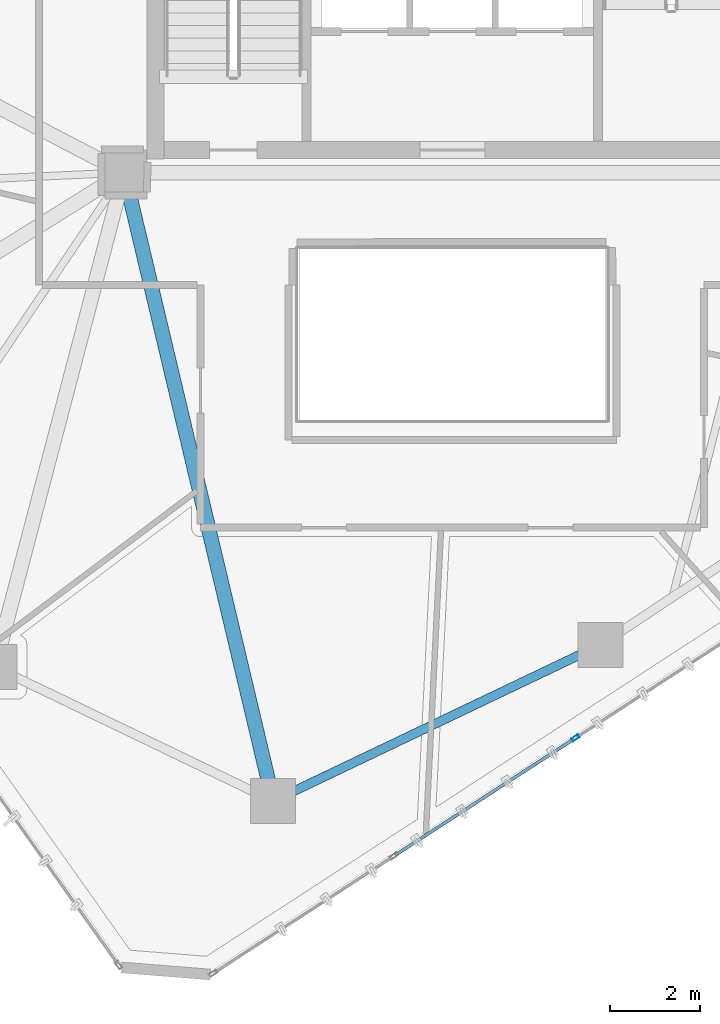
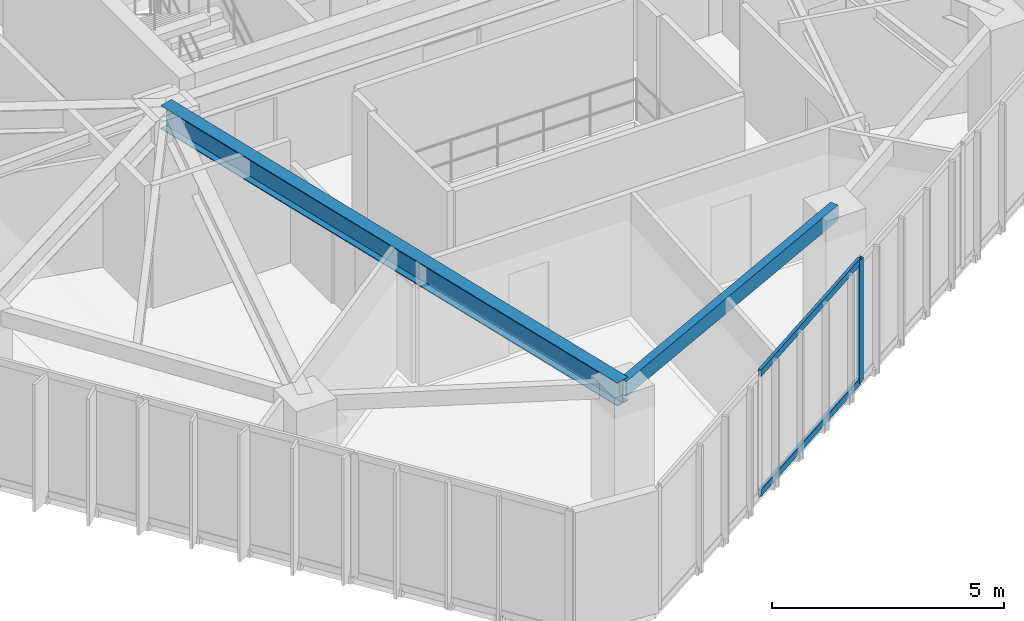
# One storey, part 4 of 18: 3 members, 2 beams, 1 element without a shape of its own.
"""IFC4 building model written with IfcOpenShell, lengths in metres."""

from ifc_helpers import new_model, si_unit, direction, frame, origin, origin_2d, place, context, subcontext, project, spatial, hollow_rectangle, i_section, extrude, source, transform, mapped, material, layer, layer_set, material_profile, profile_set, type_object, type_shapes, element, aggregate, save


model = new_model("IFC4")

# Units and contexts
model_context = context("Model", 3, precision=1e-05, world=origin(), true_north=direction((0.0, 1.0)))
body_context = subcontext(model_context, "Body", "Model", "MODEL_VIEW")
ifc_project = project(units=[si_unit("LENGTHUNIT", "METRE"), si_unit("AREAUNIT", "SQUARE_METRE"), si_unit("VOLUMEUNIT", "CUBIC_METRE"), si_unit("PLANEANGLEUNIT", "RADIAN"), si_unit("MASSUNIT", "GRAM", prefix="KILO")], contexts=[model_context])

# Site, building, storey
site_placement = place(None, origin())
site = spatial("IfcSite", under=ifc_project, at=site_placement, CompositionType="ELEMENT")
building_placement = place(site_placement, origin())
building = spatial("IfcBuilding", under=site, at=building_placement, Name="Talar Marvaseh", CompositionType="ELEMENT")
storey_placement = place(building_placement, frame((0.0, 0.0, 188.0)))
storey = spatial("IfcBuildingStorey", under=building, at=storey_placement, Name="L49", CompositionType="ELEMENT", Elevation=188.0)

# Beams
ifc_material_1 = material(Name="Steel S355", Category="steel")
ifc_material_profile_1 = material_profile(ifc_material_1, hollow_rectangle(XDim=0.199951171875, YDim=0.39990234375, WallThickness=0.013916015625, at=origin_2d()), Name="RHS400x200x14")
ifc_profile_set_1 = profile_set([ifc_material_profile_1], Name="Steel S355")
beam_type_1 = type_object("IfcBeamType", Name="Zone 3 Perimeter Spandrel Beam RHS400x200x14", PredefinedType="SPANDREL", material=ifc_profile_set_1)
beam_1_placement = place(storey_placement, frame((29.299072265625, 14.993896484375, 3.030029296875), z_axis=(-0.902562267408, -0.430559349511, 0.0), x_axis=(0.430559349511, -0.902562267408, 0.0)))
element("IfcBeam", 1, at=beam_1_placement, inside=storey, type_object=beam_type_1, Name="L49 Zone 3 Perimeter Spandrel Beam RHS400x200x14", PredefinedType="SPANDREL", context=body_context, shape_type="SweptSolid", body=[
    extrude(hollow_rectangle(XDim=0.199951171875, YDim=0.39990234375, WallThickness=0.013916015625, at=origin_2d()), origin(), (0.0, 0.0, 1.0), 8.070556640625),
])
ifc_material_profile_2 = material_profile(ifc_material_1, i_section(OverallWidth=0.324951171875, OverallDepth=0.615966796875, WebThickness=0.013916015625, FlangeThickness=0.021484375, at=origin_2d()), Name="W610x174")
ifc_profile_set_2 = profile_set([ifc_material_profile_2], Name="Steel S355")
beam_type_2 = type_object("IfcBeamType", Name="Zone 3 Radial Floor Girder W610x174", PredefinedType="BEAM", material=ifc_profile_set_2)
beam_2_placement = place(storey_placement, frame((22.014892578125, 11.51904296875, 2.922119140625), z_axis=(-0.230707708791, 0.973023099985, 0.0), x_axis=(-0.973023099985, -0.230707708791, 0.0)))
element("IfcBeam", 2, at=beam_2_placement, inside=storey, type_object=beam_type_2, Name="L49 Zone 3 Radial Floor Girder W610x174", PredefinedType="BEAM", context=body_context, shape_type="SweptSolid", body=[
    extrude(i_section(OverallWidth=0.324951171875, OverallDepth=0.615966796875, WebThickness=0.013916015625, FlangeThickness=0.021484375, at=origin_2d()), origin(), (0.0, 0.0, 1.0), 14.36865234375),
])

# Curtain wall, members
ifc_material_2 = material(Name="Architectural Aluminium", Category="aluminium")
ifc_layer = layer(ifc_material_2, 0.18994140625)
ifc_layer_set = layer_set([ifc_layer], Name="Architectural Aluminium")
curtain_wall_type = type_object("IfcCurtainWallType", Name="Unitised Solar Atelier Curtain Wall Z3", PredefinedType="NOTDEFINED", material=ifc_layer_set)
curtain_wall_placement = place(storey_placement, origin())
curtain_wall = element("IfcCurtainWall", 3, at=curtain_wall_placement, inside=storey, type_object=curtain_wall_type, Name="L49 Unitised Solar Atelier Curtain Wall Z3", PredefinedType="NOTDEFINED")
ifc_material_profile_3 = material_profile(ifc_material_2, hollow_rectangle(XDim=0.074951171875, YDim=0.179931640625, WallThickness=0.0048828125, at=origin_2d()), Name="RHS180x75x5")
ifc_profile_set_3 = profile_set([ifc_material_profile_3], Name="Architectural Aluminium")
member_type_1 = type_object("IfcMemberType", Name="Unitised Curtain Wall Standard Mullion RHS180x75x5", PredefinedType="MULLION", material=ifc_profile_set_3)
shared_shape_1 = source(origin(), body_context, "Body", "SweptSolid", [
    extrude(hollow_rectangle(XDim=0.074951171875, YDim=0.179931640625, WallThickness=0.0048828125, at=origin_2d()), origin(), (0.0, 0.0, 1.0), 3.22998046875),
])
type_shapes(member_type_1, [shared_shape_1])
member_1_placement = place(storey_placement, frame((28.737548828125, 12.9208984375, 0.0), z_axis=(0.0, 0.0, 1.0), x_axis=(0.544771292146, -0.838584664332, 0.0)))
member_1 = element("IfcMember", 4, at=member_1_placement, type_object=member_type_1, Name="CW-Z3 mullion 3", PredefinedType="MULLION", context=body_context, shape_type="MappedRepresentation", body=[
    mapped(shared_shape_1, transform((0.0, 0.0, 0.0), x_axis=(1.0, 0.0, 0.0), y_axis=(0.0, 1.0, 0.0), z_axis=(0.0, 0.0, 1.0), scale=1.0)),
])
ifc_material_profile_4 = material_profile(ifc_material_2, hollow_rectangle(XDim=0.074951171875, YDim=0.179931640625, WallThickness=0.0048828125, at=origin_2d()), Name="RHS180x75x5")
ifc_profile_set_4 = profile_set([ifc_material_profile_4], Name="Architectural Aluminium")
member_type_2 = type_object("IfcMemberType", Name="Unitised Curtain Wall Transom RHS180x75x5", PredefinedType="USERDEFINED", material=ifc_profile_set_4)
shared_shape_2 = source(origin(), body_context, "Body", "SweptSolid", [
    extrude(hollow_rectangle(XDim=0.074951171875, YDim=0.179931640625, WallThickness=0.0048828125, at=origin_2d()), origin(), (0.0, 0.0, 1.0), 4.7470703125),
])
type_shapes(member_type_2, [shared_shape_2])
member_2_placement = place(storey_placement, frame((28.7060546875, 12.900390625, 0.03759765625), z_axis=(-0.838566972704, -0.544798524493, 0.0), x_axis=(0.544798524493, -0.838566972704, 0.0)))
member_2 = element("IfcMember", 5, at=member_2_placement, type_object=member_type_2, Name="CW-Z3 transom 3.1", ObjectType="TRANSOM", PredefinedType="USERDEFINED", context=body_context, shape_type="MappedRepresentation", body=[
    mapped(shared_shape_2, transform((0.0, 0.0, 0.0), x_axis=(1.0, 0.0, 0.0), y_axis=(0.0, 1.0, 0.0), z_axis=(0.0, 0.0, 1.0), scale=1.0)),
])
member_3_placement = place(storey_placement, frame((28.7060546875, 12.900390625, 3.1923828125), z_axis=(-0.838566972704, -0.544798524493, 0.0), x_axis=(0.544798524493, -0.838566972704, 0.0)))
member_3 = element("IfcMember", 6, at=member_3_placement, type_object=member_type_2, Name="CW-Z3 transom 3.2", ObjectType="TRANSOM", PredefinedType="USERDEFINED", context=body_context, shape_type="MappedRepresentation", body=[
    mapped(shared_shape_2, transform((0.0, 0.0, 0.0), x_axis=(1.0, 0.0, 0.0), y_axis=(0.0, 1.0, 0.0), z_axis=(0.0, 0.0, 1.0), scale=1.0)),
])
aggregate(curtain_wall, [member_1, member_2, member_3])

save(model, "model.ifc")
